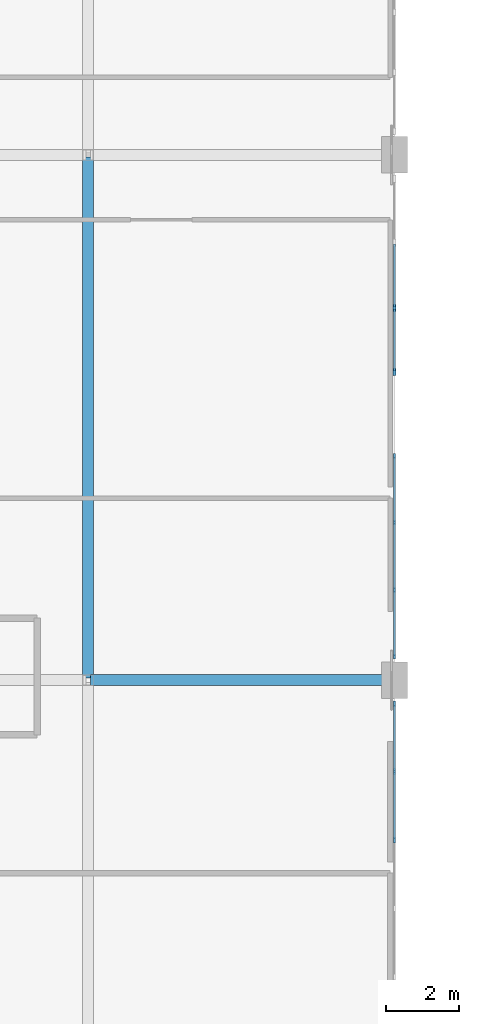
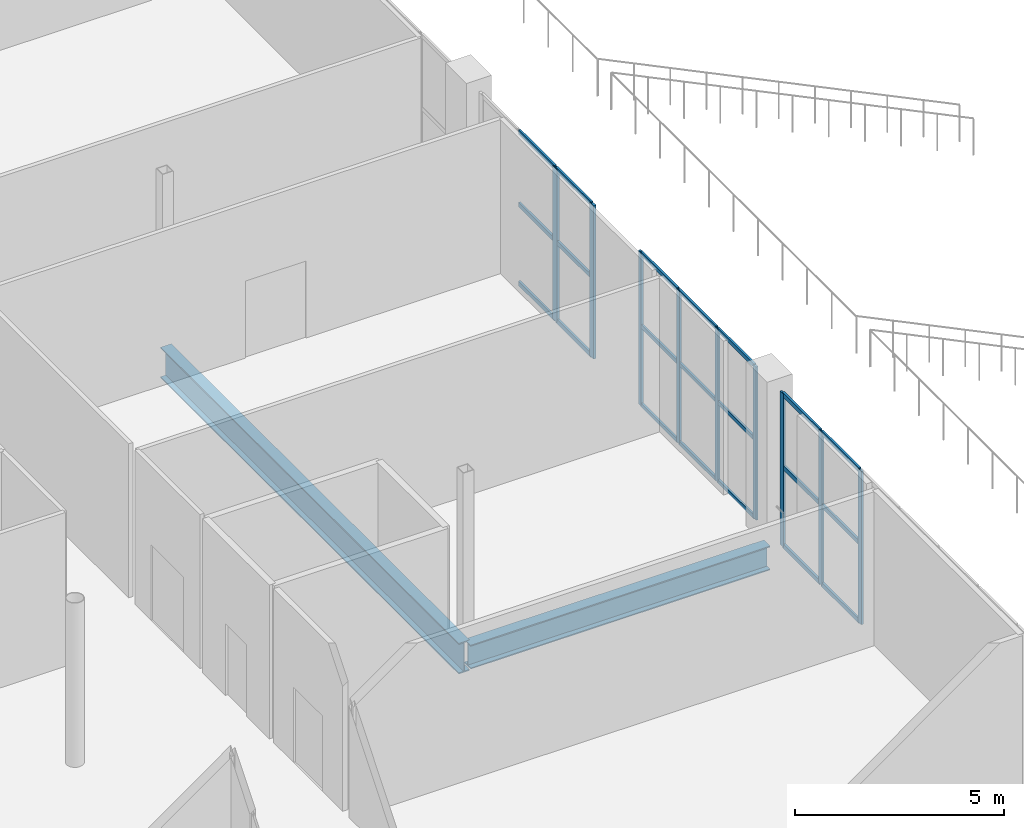
# One storey, part 24 of 104: 30 members, 2 beams, 3 elements without a shape of their own.
"""IFC4 building model written with IfcOpenShell, lengths in metres."""

from ifc_helpers import new_model, si_unit, direction, frame, origin, origin_2d, place, context, subcontext, project, spatial, rectangle, i_section, extrude, material, material_profile, profile_set, type_object, element, aggregate, save


model = new_model("IFC4")

# Units and contexts
model_context = context("Model", 3, precision=1e-05, world=origin(), true_north=direction((0.0, 1.0)))
body_context = subcontext(model_context, "Body", "Model", "MODEL_VIEW")
ifc_project = project(units=[si_unit("LENGTHUNIT", "METRE"), si_unit("AREAUNIT", "SQUARE_METRE"), si_unit("VOLUMEUNIT", "CUBIC_METRE"), si_unit("PLANEANGLEUNIT", "RADIAN"), si_unit("MASSUNIT", "GRAM", prefix="KILO")], contexts=[model_context])

# Site, building, storey
site_placement = place(None, origin())
site = spatial("IfcSite", under=ifc_project, at=site_placement, CompositionType="ELEMENT")
building_placement = place(site_placement, origin())
building = spatial("IfcBuilding", under=site, at=building_placement, Name="Koshinbarg Plaza Stadium", CompositionType="ELEMENT")
storey_placement = place(building_placement, frame((0.0, 0.0, 19.800048828125)))
storey = spatial("IfcBuildingStorey", under=building, at=storey_placement, Name="L04", CompositionType="ELEMENT", Elevation=19.800048828125)

# Beams
ifc_material_1 = material(Name="Steel S355", Category="steel")
ifc_material_profile_1 = material_profile(ifc_material_1, i_section(OverallWidth=0.300048828125, OverallDepth=0.699951171875, WebThickness=0.01708984375, FlangeThickness=0.031982421875, at=origin_2d()), Name="HEB 700")
ifc_profile_set_1 = profile_set([ifc_material_profile_1], Name="Steel S355")
beam_type_1 = type_object("IfcBeamType", Name="BM-SGIR-03", PredefinedType="USERDEFINED", material=ifc_profile_set_1)
beam_1_placement = place(storey_placement, frame((46.260009765625, 68.699951171875, -0.650146484375), z_axis=(1.0, 0.0, 0.0), x_axis=(0.0, 1.0, 0.0)))
element("IfcBeam", 1, at=beam_1_placement, inside=storey, type_object=beam_type_1, Name="L04 X girder J/7-8", ObjectType="GIRDER", PredefinedType="USERDEFINED", context=body_context, shape_type="SweptSolid", body=[
    extrude(i_section(OverallWidth=0.300048828125, OverallDepth=0.699951171875, WebThickness=0.01708984375, FlangeThickness=0.031982421875, at=origin_2d()), origin(), (0.0, 0.0, 1.0), 8.280029296875),
])
ifc_material_profile_2 = material_profile(ifc_material_1, i_section(OverallWidth=0.300048828125, OverallDepth=0.89990234375, WebThickness=0.0185546875, FlangeThickness=0.034912109375, at=origin_2d()), Name="HEB 900")
ifc_profile_set_2 = profile_set([ifc_material_profile_2], Name="Steel S355")
beam_type_2 = type_object("IfcBeamType", Name="BM-SGIR-05", PredefinedType="USERDEFINED", material=ifc_profile_set_2)
beam_2_placement = place(storey_placement, frame((46.199951171875, 68.760009765625, -0.75), z_axis=(0.0, 1.0, 0.0), x_axis=(-1.0, 0.0, 0.0)))
element("IfcBeam", 2, at=beam_2_placement, inside=storey, type_object=beam_type_2, Name="L04 Y girder 7/J-M", ObjectType="GIRDER", PredefinedType="USERDEFINED", context=body_context, shape_type="SweptSolid", body=[
    extrude(i_section(OverallWidth=0.300048828125, OverallDepth=0.89990234375, WebThickness=0.0185546875, FlangeThickness=0.034912109375, at=origin_2d()), origin(), (0.0, 0.0, 1.0), 14.280029296875),
])

# Curtain wall, members
ifc_material_2 = material(Name="Thermally broken anodised aluminium and low-E double glazing", Category="aluminium")
curtain_wall_type_1 = type_object("IfcCurtainWallType", Name="CW-SYS-05", PredefinedType="NOTDEFINED", material=ifc_material_2)
curtain_wall_1_placement = place(storey_placement, origin())
curtain_wall_1 = element("IfcCurtainWall", 3, at=curtain_wall_1_placement, inside=storey, type_object=curtain_wall_type_1, Name="L04 unitised curtain wall CW-L04-116", PredefinedType="NOTDEFINED")
ifc_material_3 = material(Name="Anodised aluminium mullion", Category="aluminium")
ifc_material_profile_3 = material_profile(ifc_material_3, rectangle(XDim=0.06005859375, YDim=0.139892578125, at=origin_2d()), Name="ALU 60x140")
ifc_profile_set_3 = profile_set([ifc_material_profile_3], Name="Anodised aluminium mullion")
member_type_1 = type_object("IfcMemberType", Name="CW-MUL-01", PredefinedType="MULLION", material=ifc_profile_set_3)
member_1_placement = place(storey_placement, frame((54.60009765625, 74.85009765625, 0.0), z_axis=(0.0, 0.0, 1.0), x_axis=(1.0, 0.0, 0.0)))
member_1 = element("IfcMember", 4, at=member_1_placement, type_object=member_type_1, Name="CW05 mullion 1", PredefinedType="MULLION", context=body_context, shape_type="SweptSolid", body=[
    extrude(rectangle(XDim=0.06005859375, YDim=0.139892578125, at=origin_2d()), origin(), (0.0, 0.0, 1.0), 4.47998046875),
])
member_2_placement = place(storey_placement, frame((54.60009765625, 73.026611328125, 0.0), z_axis=(0.0, 0.0, 1.0), x_axis=(1.0, 0.0, 0.0)))
member_2 = element("IfcMember", 5, at=member_2_placement, type_object=member_type_1, Name="CW05 mullion 2", PredefinedType="MULLION", context=body_context, shape_type="SweptSolid", body=[
    extrude(rectangle(XDim=0.06005859375, YDim=0.139892578125, at=origin_2d()), origin(), (0.0, 0.0, 1.0), 4.47998046875),
])
member_3_placement = place(storey_placement, frame((54.60009765625, 71.17333984375, 0.0), z_axis=(0.0, 0.0, 1.0), x_axis=(1.0, 0.0, 0.0)))
member_3 = element("IfcMember", 6, at=member_3_placement, type_object=member_type_1, Name="CW05 mullion 3", PredefinedType="MULLION", context=body_context, shape_type="SweptSolid", body=[
    extrude(rectangle(XDim=0.06005859375, YDim=0.139892578125, at=origin_2d()), origin(), (0.0, 0.0, 1.0), 4.47998046875),
])
member_4_placement = place(storey_placement, frame((54.60009765625, 69.35009765625, 0.0), z_axis=(0.0, 0.0, 1.0), x_axis=(1.0, 0.0, 0.0)))
member_4 = element("IfcMember", 7, at=member_4_placement, type_object=member_type_1, Name="CW05 mullion 4", PredefinedType="MULLION", context=body_context, shape_type="SweptSolid", body=[
    extrude(rectangle(XDim=0.06005859375, YDim=0.139892578125, at=origin_2d()), origin(), (0.0, 0.0, 1.0), 4.47998046875),
])

curtain_wall_type_2 = type_object("IfcCurtainWallType", Name="CW-SYS-06", PredefinedType="NOTDEFINED", material=ifc_material_2)
curtain_wall_2_placement = place(storey_placement, origin())
curtain_wall_2 = element("IfcCurtainWall", 8, at=curtain_wall_2_placement, inside=storey, type_object=curtain_wall_type_2, Name="L04 unitised curtain wall CW-L04-117", PredefinedType="NOTDEFINED")
ifc_material_profile_4 = material_profile(ifc_material_3, rectangle(XDim=0.06005859375, YDim=0.159912109375, at=origin_2d()), Name="ALU 60x160")
ifc_profile_set_4 = profile_set([ifc_material_profile_4], Name="Anodised aluminium mullion")
member_type_2 = type_object("IfcMemberType", Name="CW-MUL-02", PredefinedType="MULLION", material=ifc_profile_set_4)
member_5_placement = place(storey_placement, frame((54.60009765625, 68.050048828125, 0.0), z_axis=(0.0, 0.0, 1.0), x_axis=(1.0, 0.0, 0.0)))
member_5 = element("IfcMember", 9, at=member_5_placement, type_object=member_type_2, Name="CW06 mullion 1", PredefinedType="MULLION", context=body_context, shape_type="SweptSolid", body=[
    extrude(rectangle(XDim=0.06005859375, YDim=0.159912109375, at=origin_2d()), origin(), (0.0, 0.0, 1.0), 4.47998046875),
])
member_6_placement = place(storey_placement, frame((54.60009765625, 66.199951171875, 0.0), z_axis=(0.0, 0.0, 1.0), x_axis=(1.0, 0.0, 0.0)))
member_6 = element("IfcMember", 10, at=member_6_placement, type_object=member_type_2, Name="CW06 mullion 2", PredefinedType="MULLION", context=body_context, shape_type="SweptSolid", body=[
    extrude(rectangle(XDim=0.06005859375, YDim=0.159912109375, at=origin_2d()), origin(), (0.0, 0.0, 1.0), 4.47998046875),
])
member_7_placement = place(storey_placement, frame((54.60009765625, 64.320068359375, 0.0), z_axis=(0.0, 0.0, 1.0), x_axis=(1.0, 0.0, 0.0)))
member_7 = element("IfcMember", 11, at=member_7_placement, type_object=member_type_2, Name="CW06 mullion 3", PredefinedType="MULLION", context=body_context, shape_type="SweptSolid", body=[
    extrude(rectangle(XDim=0.06005859375, YDim=0.159912109375, at=origin_2d()), origin(), (0.0, 0.0, 1.0), 4.47998046875),
])

curtain_wall_type_3 = type_object("IfcCurtainWallType", Name="CW-SYS-04", PredefinedType="NOTDEFINED", material=ifc_material_2)
curtain_wall_3_placement = place(storey_placement, origin())
curtain_wall_3 = element("IfcCurtainWall", 12, at=curtain_wall_3_placement, inside=storey, type_object=curtain_wall_type_3, Name="L04 unitised curtain wall CW-L04-115", PredefinedType="NOTDEFINED")
ifc_material_profile_5 = material_profile(ifc_material_3, rectangle(XDim=0.070068359375, YDim=0.199951171875, at=origin_2d()), Name="ALU 70x200")
ifc_profile_set_5 = profile_set([ifc_material_profile_5], Name="Anodised aluminium mullion")
member_type_3 = type_object("IfcMemberType", Name="CW-MUL-04", PredefinedType="MULLION", material=ifc_profile_set_5)
member_8_placement = place(storey_placement, frame((54.60009765625, 78.90673828125, 0.0), z_axis=(0.0, 0.0, 1.0), x_axis=(1.0, 0.0, 0.0)))
member_8 = element("IfcMember", 13, at=member_8_placement, type_object=member_type_3, Name="CW04 mullion 3", PredefinedType="MULLION", context=body_context, shape_type="SweptSolid", body=[
    extrude(rectangle(XDim=0.070068359375, YDim=0.199951171875, at=origin_2d()), origin(), (0.0, 0.0, 1.0), 4.47998046875),
])
member_9_placement = place(storey_placement, frame((54.60009765625, 77.14990234375, 0.0), z_axis=(0.0, 0.0, 1.0), x_axis=(1.0, 0.0, 0.0)))
member_9 = element("IfcMember", 14, at=member_9_placement, type_object=member_type_3, Name="CW04 mullion 4", PredefinedType="MULLION", context=body_context, shape_type="SweptSolid", body=[
    extrude(rectangle(XDim=0.070068359375, YDim=0.199951171875, at=origin_2d()), origin(), (0.0, 0.0, 1.0), 4.47998046875),
])

# Member
ifc_material_4 = material(Name="Anodised aluminium transom", Category="aluminium")
ifc_material_profile_6 = material_profile(ifc_material_4, rectangle(XDim=0.06005859375, YDim=0.110107421875, at=origin_2d()), Name="ALU 60x110")
ifc_profile_set_6 = profile_set([ifc_material_profile_6], Name="Anodised aluminium transom")
member_type_4 = type_object("IfcMemberType", Name="CW-TRN-01", PredefinedType="USERDEFINED", material=ifc_profile_set_6)
member_10_placement = place(storey_placement, frame((54.60009765625, 74.820068359375, 0.030029296875), z_axis=(0.0, -1.0, 0.0), x_axis=(1.0, 0.0, 0.0)))
member_10 = element("IfcMember", 15, at=member_10_placement, type_object=member_type_4, Name="CW05 transom 1.1", ObjectType="TRANSOM", PredefinedType="USERDEFINED", context=body_context, shape_type="SweptSolid", body=[
    extrude(rectangle(XDim=0.06005859375, YDim=0.110107421875, at=origin_2d()), origin(), (0.0, 0.0, 1.0), 1.763427734375),
])

member_11_placement = place(storey_placement, frame((54.60009765625, 74.820068359375, 2.32958984375), z_axis=(0.0, -1.0, 0.0), x_axis=(1.0, 0.0, 0.0)))
member_11 = element("IfcMember", 16, at=member_11_placement, type_object=member_type_4, Name="CW05 transom 1.2", ObjectType="TRANSOM", PredefinedType="USERDEFINED", context=body_context, shape_type="SweptSolid", body=[
    extrude(rectangle(XDim=0.06005859375, YDim=0.110107421875, at=origin_2d()), origin(), (0.0, 0.0, 1.0), 1.763427734375),
])

member_12_placement = place(storey_placement, frame((54.60009765625, 74.820068359375, 4.449951171875), z_axis=(0.0, -1.0, 0.0), x_axis=(1.0, 0.0, 0.0)))
member_12 = element("IfcMember", 17, at=member_12_placement, type_object=member_type_4, Name="CW05 transom 1.3", ObjectType="TRANSOM", PredefinedType="USERDEFINED", context=body_context, shape_type="SweptSolid", body=[
    extrude(rectangle(XDim=0.06005859375, YDim=0.110107421875, at=origin_2d()), origin(), (0.0, 0.0, 1.0), 1.763427734375),
])

member_13_placement = place(storey_placement, frame((54.60009765625, 72.99658203125, 0.030029296875), z_axis=(0.0, -1.0, 0.0), x_axis=(1.0, 0.0, 0.0)))
member_13 = element("IfcMember", 18, at=member_13_placement, type_object=member_type_4, Name="CW05 transom 2.1", ObjectType="TRANSOM", PredefinedType="USERDEFINED", context=body_context, shape_type="SweptSolid", body=[
    extrude(rectangle(XDim=0.06005859375, YDim=0.110107421875, at=origin_2d()), origin(), (0.0, 0.0, 1.0), 1.793212890625),
])

member_14_placement = place(storey_placement, frame((54.60009765625, 72.99658203125, 2.32958984375), z_axis=(0.0, -1.0, 0.0), x_axis=(1.0, 0.0, 0.0)))
member_14 = element("IfcMember", 19, at=member_14_placement, type_object=member_type_4, Name="CW05 transom 2.2", ObjectType="TRANSOM", PredefinedType="USERDEFINED", context=body_context, shape_type="SweptSolid", body=[
    extrude(rectangle(XDim=0.06005859375, YDim=0.110107421875, at=origin_2d()), origin(), (0.0, 0.0, 1.0), 1.793212890625),
])

member_15_placement = place(storey_placement, frame((54.60009765625, 72.99658203125, 4.449951171875), z_axis=(0.0, -1.0, 0.0), x_axis=(1.0, 0.0, 0.0)))
member_15 = element("IfcMember", 20, at=member_15_placement, type_object=member_type_4, Name="CW05 transom 2.3", ObjectType="TRANSOM", PredefinedType="USERDEFINED", context=body_context, shape_type="SweptSolid", body=[
    extrude(rectangle(XDim=0.06005859375, YDim=0.110107421875, at=origin_2d()), origin(), (0.0, 0.0, 1.0), 1.793212890625),
])

member_16_placement = place(storey_placement, frame((54.60009765625, 71.143310546875, 0.030029296875), z_axis=(0.0, -1.0, 0.0), x_axis=(1.0, 0.0, 0.0)))
member_16 = element("IfcMember", 21, at=member_16_placement, type_object=member_type_4, Name="CW05 transom 3.1", ObjectType="TRANSOM", PredefinedType="USERDEFINED", context=body_context, shape_type="SweptSolid", body=[
    extrude(rectangle(XDim=0.06005859375, YDim=0.110107421875, at=origin_2d()), origin(), (0.0, 0.0, 1.0), 1.763427734375),
])

member_17_placement = place(storey_placement, frame((54.60009765625, 71.143310546875, 2.32958984375), z_axis=(0.0, -1.0, 0.0), x_axis=(1.0, 0.0, 0.0)))
member_17 = element("IfcMember", 22, at=member_17_placement, type_object=member_type_4, Name="CW05 transom 3.2", ObjectType="TRANSOM", PredefinedType="USERDEFINED", context=body_context, shape_type="SweptSolid", body=[
    extrude(rectangle(XDim=0.06005859375, YDim=0.110107421875, at=origin_2d()), origin(), (0.0, 0.0, 1.0), 1.763427734375),
])

member_18_placement = place(storey_placement, frame((54.60009765625, 71.143310546875, 4.449951171875), z_axis=(0.0, -1.0, 0.0), x_axis=(1.0, 0.0, 0.0)))
member_18 = element("IfcMember", 23, at=member_18_placement, type_object=member_type_4, Name="CW05 transom 3.3", ObjectType="TRANSOM", PredefinedType="USERDEFINED", context=body_context, shape_type="SweptSolid", body=[
    extrude(rectangle(XDim=0.06005859375, YDim=0.110107421875, at=origin_2d()), origin(), (0.0, 0.0, 1.0), 1.763427734375),
])

aggregate(curtain_wall_1, [member_1, member_2, member_3, member_4, member_10, member_11, member_12, member_13, member_14, member_15, member_16, member_17, member_18])

ifc_material_profile_7 = material_profile(ifc_material_4, rectangle(XDim=0.06005859375, YDim=0.1298828125, at=origin_2d()), Name="ALU 60x130")
ifc_profile_set_7 = profile_set([ifc_material_profile_7], Name="Anodised aluminium transom")
member_type_5 = type_object("IfcMemberType", Name="CW-TRN-02", PredefinedType="USERDEFINED", material=ifc_profile_set_7)
member_19_placement = place(storey_placement, frame((54.60009765625, 80.663330078125, 0.030029296875), z_axis=(0.0, -1.0, 0.0), x_axis=(1.0, 0.0, 0.0)))
member_19 = element("IfcMember", 24, at=member_19_placement, type_object=member_type_5, Name="CW04 transom 2.1", ObjectType="TRANSOM", PredefinedType="USERDEFINED", context=body_context, shape_type="SweptSolid", body=[
    extrude(rectangle(XDim=0.06005859375, YDim=0.1298828125, at=origin_2d()), origin(), (0.0, 0.0, 1.0), 1.7265625),
])

member_20_placement = place(storey_placement, frame((54.60009765625, 80.663330078125, 2.32958984375), z_axis=(0.0, -1.0, 0.0), x_axis=(1.0, 0.0, 0.0)))
member_20 = element("IfcMember", 25, at=member_20_placement, type_object=member_type_5, Name="CW04 transom 2.2", ObjectType="TRANSOM", PredefinedType="USERDEFINED", context=body_context, shape_type="SweptSolid", body=[
    extrude(rectangle(XDim=0.06005859375, YDim=0.1298828125, at=origin_2d()), origin(), (0.0, 0.0, 1.0), 1.7265625),
])

member_21_placement = place(storey_placement, frame((54.60009765625, 80.663330078125, 4.449951171875), z_axis=(0.0, -1.0, 0.0), x_axis=(1.0, 0.0, 0.0)))
member_21 = element("IfcMember", 26, at=member_21_placement, type_object=member_type_5, Name="CW04 transom 2.3", ObjectType="TRANSOM", PredefinedType="USERDEFINED", context=body_context, shape_type="SweptSolid", body=[
    extrude(rectangle(XDim=0.06005859375, YDim=0.1298828125, at=origin_2d()), origin(), (0.0, 0.0, 1.0), 1.7265625),
])

member_22_placement = place(storey_placement, frame((54.60009765625, 78.876708984375, 0.030029296875), z_axis=(0.0, -1.0, 0.0), x_axis=(1.0, 0.0, 0.0)))
member_22 = element("IfcMember", 27, at=member_22_placement, type_object=member_type_5, Name="CW04 transom 3.1", ObjectType="TRANSOM", PredefinedType="USERDEFINED", context=body_context, shape_type="SweptSolid", body=[
    extrude(rectangle(XDim=0.06005859375, YDim=0.1298828125, at=origin_2d()), origin(), (0.0, 0.0, 1.0), 1.69677734375),
])

member_23_placement = place(storey_placement, frame((54.60009765625, 78.876708984375, 2.32958984375), z_axis=(0.0, -1.0, 0.0), x_axis=(1.0, 0.0, 0.0)))
member_23 = element("IfcMember", 28, at=member_23_placement, type_object=member_type_5, Name="CW04 transom 3.2", ObjectType="TRANSOM", PredefinedType="USERDEFINED", context=body_context, shape_type="SweptSolid", body=[
    extrude(rectangle(XDim=0.06005859375, YDim=0.1298828125, at=origin_2d()), origin(), (0.0, 0.0, 1.0), 1.69677734375),
])

member_24_placement = place(storey_placement, frame((54.60009765625, 78.876708984375, 4.449951171875), z_axis=(0.0, -1.0, 0.0), x_axis=(1.0, 0.0, 0.0)))
member_24 = element("IfcMember", 29, at=member_24_placement, type_object=member_type_5, Name="CW04 transom 3.3", ObjectType="TRANSOM", PredefinedType="USERDEFINED", context=body_context, shape_type="SweptSolid", body=[
    extrude(rectangle(XDim=0.06005859375, YDim=0.1298828125, at=origin_2d()), origin(), (0.0, 0.0, 1.0), 1.69677734375),
])

aggregate(curtain_wall_3, [member_8, member_9, member_19, member_20, member_21, member_22, member_23, member_24])

member_25_placement = place(storey_placement, frame((54.60009765625, 68.02001953125, 0.030029296875), z_axis=(0.0, -1.0, 0.0), x_axis=(1.0, 0.0, 0.0)))
member_25 = element("IfcMember", 30, at=member_25_placement, type_object=member_type_5, Name="CW06 transom 1.1", ObjectType="TRANSOM", PredefinedType="USERDEFINED", context=body_context, shape_type="SweptSolid", body=[
    extrude(rectangle(XDim=0.06005859375, YDim=0.1298828125, at=origin_2d()), origin(), (0.0, 0.0, 1.0), 1.7900390625),
])

member_26_placement = place(storey_placement, frame((54.60009765625, 68.02001953125, 2.32958984375), z_axis=(0.0, -1.0, 0.0), x_axis=(1.0, 0.0, 0.0)))
member_26 = element("IfcMember", 31, at=member_26_placement, type_object=member_type_5, Name="CW06 transom 1.2", ObjectType="TRANSOM", PredefinedType="USERDEFINED", context=body_context, shape_type="SweptSolid", body=[
    extrude(rectangle(XDim=0.06005859375, YDim=0.1298828125, at=origin_2d()), origin(), (0.0, 0.0, 1.0), 1.7900390625),
])

member_27_placement = place(storey_placement, frame((54.60009765625, 68.02001953125, 4.449951171875), z_axis=(0.0, -1.0, 0.0), x_axis=(1.0, 0.0, 0.0)))
member_27 = element("IfcMember", 32, at=member_27_placement, type_object=member_type_5, Name="CW06 transom 1.3", ObjectType="TRANSOM", PredefinedType="USERDEFINED", context=body_context, shape_type="SweptSolid", body=[
    extrude(rectangle(XDim=0.06005859375, YDim=0.1298828125, at=origin_2d()), origin(), (0.0, 0.0, 1.0), 1.7900390625),
])

member_28_placement = place(storey_placement, frame((54.60009765625, 66.169921875, 0.030029296875), z_axis=(0.0, -1.0, 0.0), x_axis=(1.0, 0.0, 0.0)))
member_28 = element("IfcMember", 33, at=member_28_placement, type_object=member_type_5, Name="CW06 transom 2.1", ObjectType="TRANSOM", PredefinedType="USERDEFINED", context=body_context, shape_type="SweptSolid", body=[
    extrude(rectangle(XDim=0.06005859375, YDim=0.1298828125, at=origin_2d()), origin(), (0.0, 0.0, 1.0), 1.81982421875),
])

member_29_placement = place(storey_placement, frame((54.60009765625, 66.169921875, 2.32958984375), z_axis=(0.0, -1.0, 0.0), x_axis=(1.0, 0.0, 0.0)))
member_29 = element("IfcMember", 34, at=member_29_placement, type_object=member_type_5, Name="CW06 transom 2.2", ObjectType="TRANSOM", PredefinedType="USERDEFINED", context=body_context, shape_type="SweptSolid", body=[
    extrude(rectangle(XDim=0.06005859375, YDim=0.1298828125, at=origin_2d()), origin(), (0.0, 0.0, 1.0), 1.81982421875),
])

member_30_placement = place(storey_placement, frame((54.60009765625, 66.169921875, 4.449951171875), z_axis=(0.0, -1.0, 0.0), x_axis=(1.0, 0.0, 0.0)))
member_30 = element("IfcMember", 35, at=member_30_placement, type_object=member_type_5, Name="CW06 transom 2.3", ObjectType="TRANSOM", PredefinedType="USERDEFINED", context=body_context, shape_type="SweptSolid", body=[
    extrude(rectangle(XDim=0.06005859375, YDim=0.1298828125, at=origin_2d()), origin(), (0.0, 0.0, 1.0), 1.81982421875),
])

aggregate(curtain_wall_2, [member_5, member_6, member_7, member_25, member_26, member_27, member_28, member_29, member_30])

save(model, "model.ifc")
